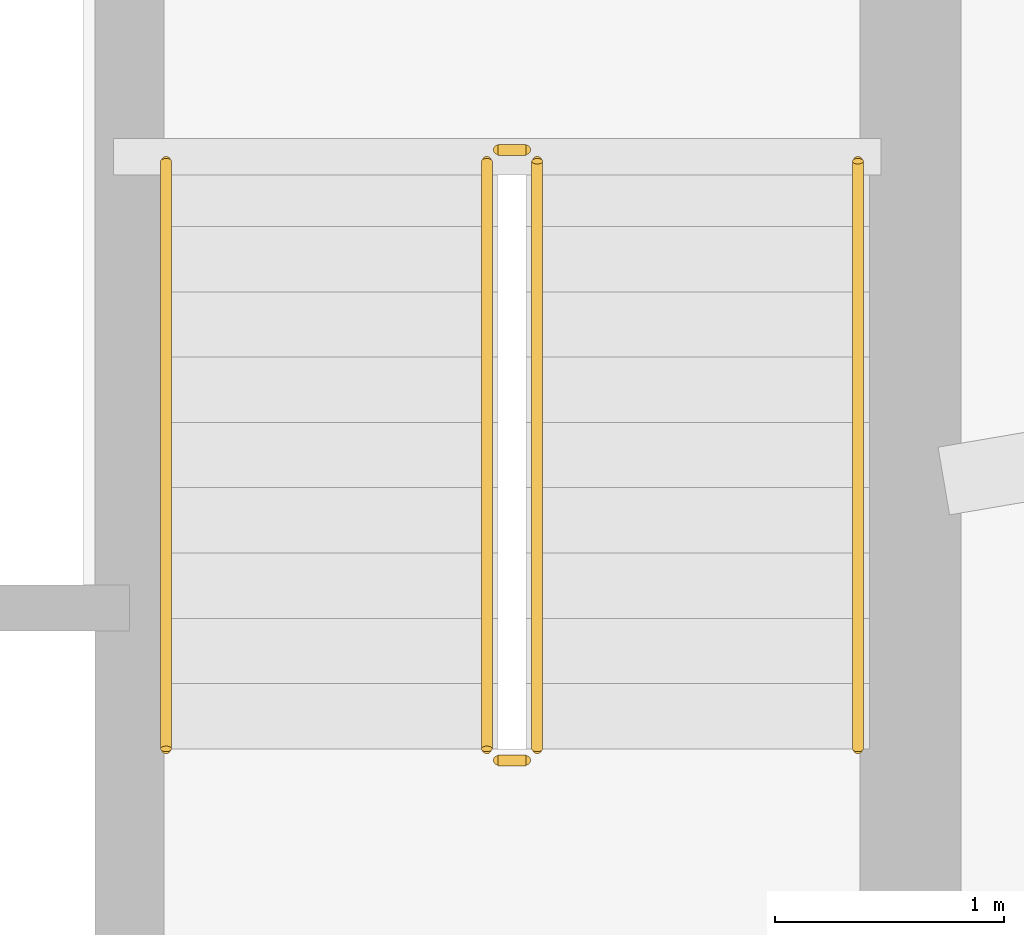
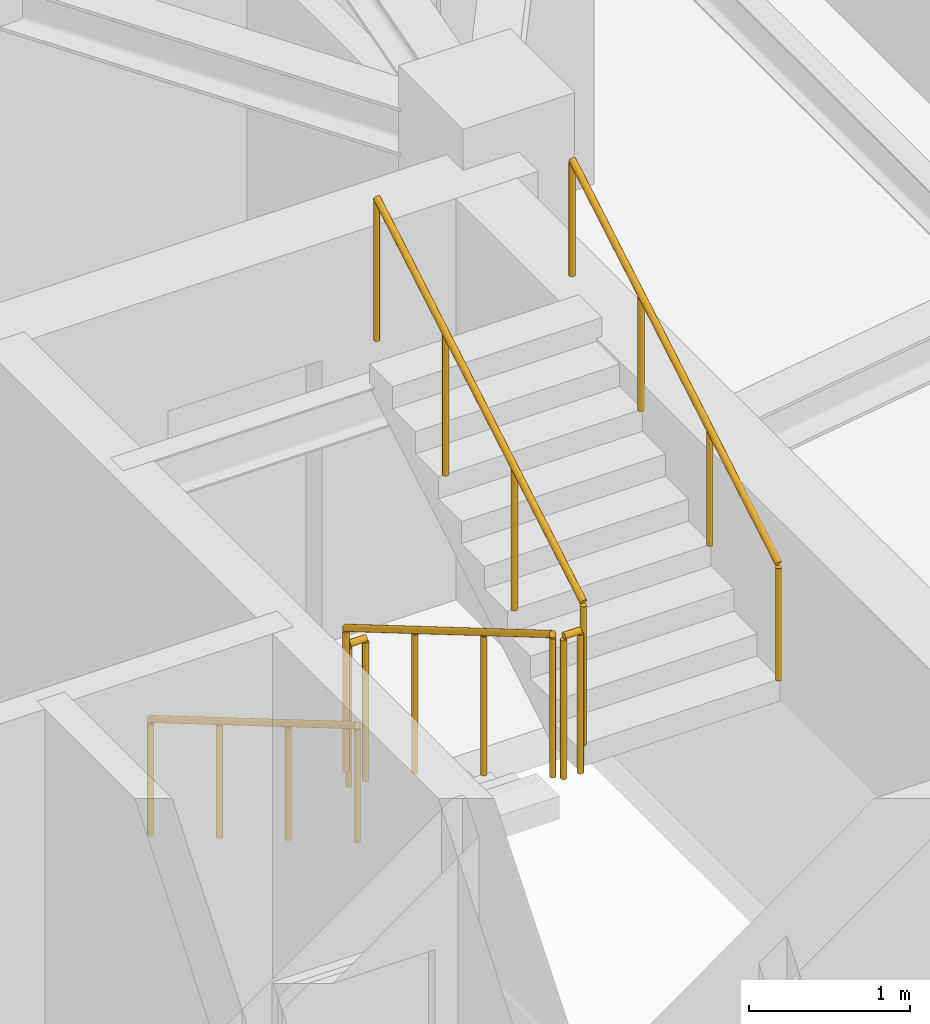
# One storey, part 11 of 12: 6 railings.
"""IFC4 building model written with IfcOpenShell, lengths in metres."""

from ifc_helpers import new_model, si_unit, direction, frame, origin, origin_2d, place, context, subcontext, project, spatial, circle, extrude, material, type_object, element, save


model = new_model("IFC4")

# Units and contexts
model_context = context("Model", 3, precision=1e-05, world=origin(), true_north=direction((0.0, 1.0)))
body_context = subcontext(model_context, "Body", "Model", "MODEL_VIEW")
ifc_project = project(units=[si_unit("LENGTHUNIT", "METRE"), si_unit("AREAUNIT", "SQUARE_METRE"), si_unit("VOLUMEUNIT", "CUBIC_METRE"), si_unit("PLANEANGLEUNIT", "RADIAN"), si_unit("MASSUNIT", "GRAM", prefix="KILO")], contexts=[model_context])

# Site, building, storey
site_placement = place(None, origin())
site = spatial("IfcSite", under=ifc_project, at=site_placement, CompositionType="ELEMENT")
building_placement = place(site_placement, origin())
building = spatial("IfcBuilding", under=site, at=building_placement, Name="Qobustan Lattice House", CompositionType="ELEMENT")
storey_placement = place(building_placement, frame((0.0, 0.0, 228.300048828125)))
storey = spatial("IfcBuildingStorey", under=building, at=storey_placement, Name="L64", CompositionType="ELEMENT", Elevation=228.300048828125)

# Railings
ifc_material_1 = material(Name="Brushed stainless steel handrail", Category="steel")
railing_type_1 = type_object("IfcRailingType", Name="RAL-HR-920", PredefinedType="HANDRAIL", material=ifc_material_1)
railing_1_placement = place(storey_placement, frame((15.179931640625, 3.5, 0.16748046875)))
element("IfcRailing", 1, at=railing_1_placement, inside=storey, type_object=railing_type_1, Name="L64 ST-E1 stair handrail 1", PredefinedType="HANDRAIL", context=body_context, shape_type="SweptSolid", body=[
    extrude(circle(Radius=0.02392578125, at=origin_2d()), frame((0.0, 0.0, 0.8759765625), z_axis=(0.0, -0.862113467892, 0.50671527358), x_axis=(1.0, 0.0, 0.0)), (0.0, 0.0, 1.0), 2.97509765625),
    extrude(circle(Radius=0.02099609375, at=origin_2d()), origin(), (0.0, 0.0, 1.0), 0.851806640625),
    extrude(circle(Radius=0.02099609375, at=origin_2d()), frame((0.0, -0.85498046875, 0.50244140625)), (0.0, 0.0, 1.0), 0.851806640625),
    extrude(circle(Radius=0.02099609375, at=origin_2d()), frame((0.0, -1.7099609375, 1.005126953125)), (0.0, 0.0, 1.0), 0.851806640625),
    extrude(circle(Radius=0.02099609375, at=origin_2d()), frame((0.0, -2.56494140625, 1.507568359375)), (0.0, 0.0, 1.0), 0.851806640625),
])
railing_2_placement = place(storey_placement, frame((18.199951171875, 0.93505859375, 1.842529296875)))
element("IfcRailing", 2, at=railing_2_placement, inside=storey, type_object=railing_type_1, Name="L64 ST-E1 stair handrail 2", PredefinedType="HANDRAIL", context=body_context, shape_type="SweptSolid", body=[
    extrude(circle(Radius=0.02392578125, at=origin_2d()), frame((0.0, 0.0, 0.8759765625), z_axis=(0.0, 0.862149314443, 0.506654280161), x_axis=(-1.0, 0.0, 0.0)), (0.0, 0.0, 1.0), 2.97509765625),
    extrude(circle(Radius=0.02099609375, at=origin_2d()), origin(), (0.0, 0.0, 1.0), 0.851806640625),
    extrude(circle(Radius=0.02099609375, at=origin_2d()), frame((0.0, 0.85498046875, 0.50244140625)), (0.0, 0.0, 1.0), 0.851806640625),
    extrude(circle(Radius=0.02099609375, at=origin_2d()), frame((0.0, 1.7099609375, 1.0048828125)), (0.0, 0.0, 1.0), 0.851806640625),
    extrude(circle(Radius=0.02099609375, at=origin_2d()), frame((0.0, 2.56494140625, 1.50732421875)), (0.0, 0.0, 1.0), 0.851806640625),
])
ifc_material_2 = material(Name="Painted galvanized steel guardrail", Category="steel")
railing_type_2 = type_object("IfcRailingType", Name="RAL-STG-1150", PredefinedType="GUARDRAIL", material=ifc_material_2)
railing_3_placement = place(storey_placement, frame((16.580078125, 3.5, 0.16748046875)))
element("IfcRailing", 3, at=railing_3_placement, inside=storey, type_object=railing_type_2, Name="L64 ST-E1 stair guard 1", PredefinedType="GUARDRAIL", context=body_context, shape_type="SweptSolid", body=[
    extrude(circle(Radius=0.02392578125, at=origin_2d()), frame((0.0, 0.0, 1.076171875), z_axis=(0.0, -0.862113467892, 0.50671527358), x_axis=(1.0, 0.0, 0.0)), (0.0, 0.0, 1.0), 2.97509765625),
    extrude(circle(Radius=0.02099609375, at=origin_2d()), origin(), (0.0, 0.0, 1.0), 1.052001953125),
    extrude(circle(Radius=0.02099609375, at=origin_2d()), frame((0.0, -0.85498046875, 0.50244140625)), (0.0, 0.0, 1.0), 1.052001953125),
    extrude(circle(Radius=0.02099609375, at=origin_2d()), frame((0.0, -1.7099609375, 1.005126953125)), (0.0, 0.0, 1.0), 1.052001953125),
    extrude(circle(Radius=0.02099609375, at=origin_2d()), frame((0.0, -2.56494140625, 1.507568359375)), (0.0, 0.0, 1.0), 1.052001953125),
])
railing_4_placement = place(storey_placement, frame((16.6298828125, 0.885009765625, 1.675048828125)))
element("IfcRailing", 4, at=railing_4_placement, inside=storey, type_object=railing_type_2, Name="L64 ST-E1 stair guard 2", PredefinedType="GUARDRAIL", context=body_context, shape_type="SweptSolid", body=[
    extrude(circle(Radius=0.02392578125, at=origin_2d()), frame((0.0, 0.0, 1.076171875), z_axis=(1.0, 0.0, 0.0), x_axis=(0.0, 1.0, 0.0)), (0.0, 0.0, 1.0), 0.1201171875),
    extrude(circle(Radius=0.02099609375, at=origin_2d()), origin(), (0.0, 0.0, 1.0), 1.052001953125),
    extrude(circle(Radius=0.02099609375, at=origin_2d()), frame((0.1201171875, 0.0, 0.0)), (0.0, 0.0, 1.0), 1.052001953125),
])
railing_5_placement = place(storey_placement, frame((16.800048828125, 0.93505859375, 1.842529296875)))
element("IfcRailing", 5, at=railing_5_placement, inside=storey, type_object=railing_type_2, Name="L64 ST-E1 stair guard 3", PredefinedType="GUARDRAIL", context=body_context, shape_type="SweptSolid", body=[
    extrude(circle(Radius=0.02392578125, at=origin_2d()), frame((0.0, 0.0, 1.076171875), z_axis=(0.0, 0.862149314443, 0.506654280161), x_axis=(-1.0, 0.0, 0.0)), (0.0, 0.0, 1.0), 2.97509765625),
    extrude(circle(Radius=0.02099609375, at=origin_2d()), origin(), (0.0, 0.0, 1.0), 1.052001953125),
    extrude(circle(Radius=0.02099609375, at=origin_2d()), frame((0.0, 0.85498046875, 0.50244140625)), (0.0, 0.0, 1.0), 1.052001953125),
    extrude(circle(Radius=0.02099609375, at=origin_2d()), frame((0.0, 1.7099609375, 1.0048828125)), (0.0, 0.0, 1.0), 1.052001953125),
    extrude(circle(Radius=0.02099609375, at=origin_2d()), frame((0.0, 2.56494140625, 1.50732421875)), (0.0, 0.0, 1.0), 1.052001953125),
])
railing_6_placement = place(storey_placement, frame((16.6298828125, 3.550048828125, 0.0)))
element("IfcRailing", 6, at=railing_6_placement, inside=storey, type_object=railing_type_2, Name="L64 ST-E1 stair guard 4", PredefinedType="GUARDRAIL", context=body_context, shape_type="SweptSolid", body=[
    extrude(circle(Radius=0.02392578125, at=origin_2d()), frame((0.0, 0.0, 1.076171875), z_axis=(1.0, 0.0, 0.0), x_axis=(0.0, 1.0, 0.0)), (0.0, 0.0, 1.0), 0.1201171875),
    extrude(circle(Radius=0.02099609375, at=origin_2d()), origin(), (0.0, 0.0, 1.0), 1.052001953125),
    extrude(circle(Radius=0.02099609375, at=origin_2d()), frame((0.1201171875, 0.0, 0.0)), (0.0, 0.0, 1.0), 1.052001953125),
])

save(model, "model.ifc")
